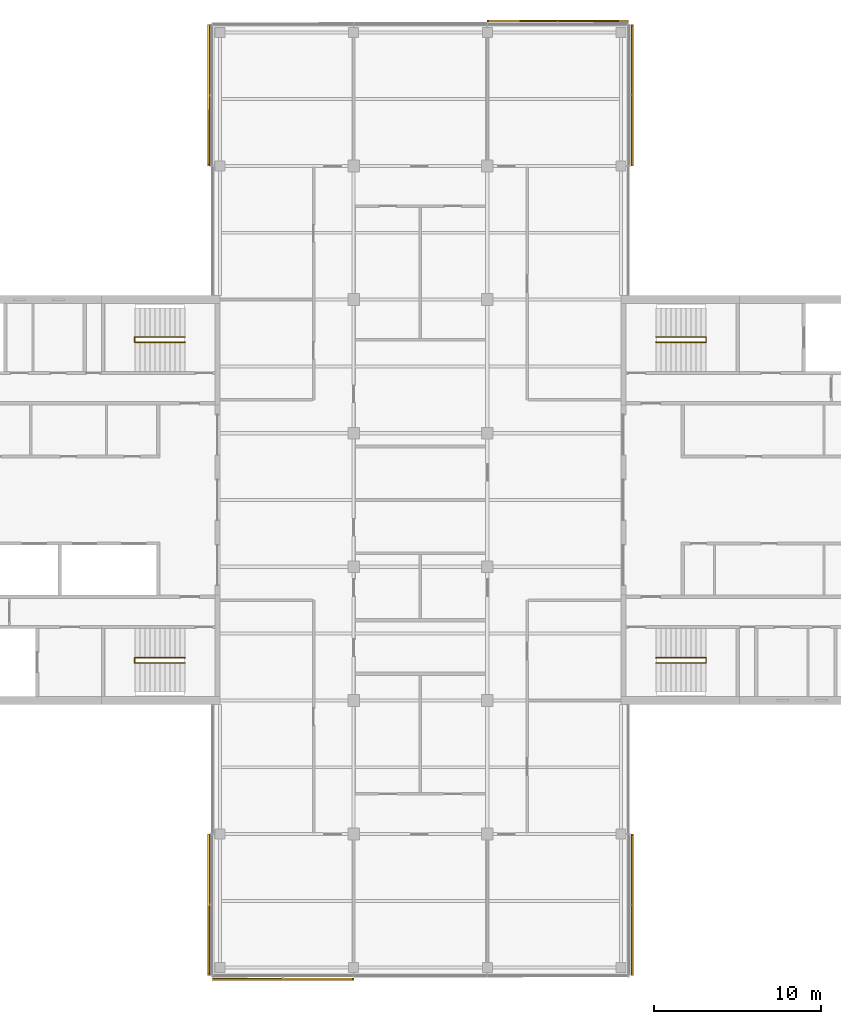
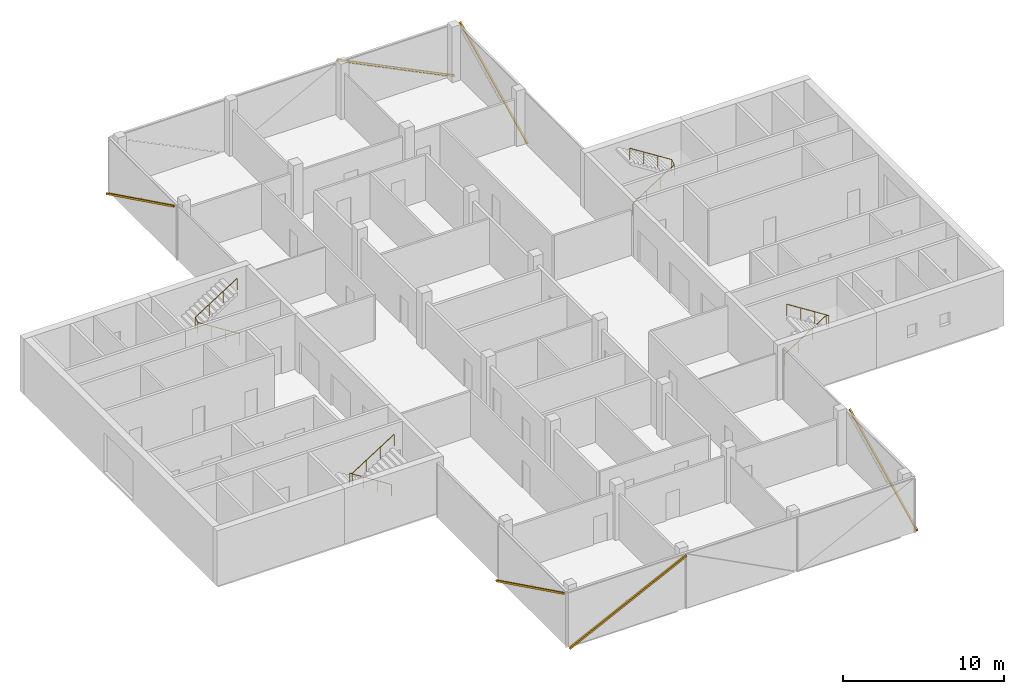
# One storey, part 16 of 16: 6 shading devices, 4 railings, 6 elements without a shape of their own.
"""IFC4 building model written with IfcOpenShell, lengths in metres."""

from ifc_helpers import new_model, si_unit, direction, frame, origin, origin_2d, place, context, subcontext, project, spatial, rectangle, circle, extrude, material, material_profile, profile_set, type_object, element, aggregate, save


model = new_model("IFC4")

# Units and contexts
model_context = context("Model", 3, precision=1e-05, world=origin(), true_north=direction((0.0, 1.0)))
body_context = subcontext(model_context, "Body", "Model", "MODEL_VIEW")
ifc_project = project(units=[si_unit("LENGTHUNIT", "METRE"), si_unit("AREAUNIT", "SQUARE_METRE"), si_unit("VOLUMEUNIT", "CUBIC_METRE"), si_unit("PLANEANGLEUNIT", "RADIAN"), si_unit("MASSUNIT", "GRAM", prefix="KILO")], contexts=[model_context])

# Site, building, storey
site_placement = place(None, origin())
site = spatial("IfcSite", under=ifc_project, at=site_placement, CompositionType="ELEMENT")
building_placement = place(site_placement, origin())
building = spatial("IfcBuilding", under=site, at=building_placement, Name="Crosswind Convention Tower", CompositionType="ELEMENT")
storey_placement = place(building_placement, frame((0.0, 0.0, 253.5)))
storey = spatial("IfcBuildingStorey", under=building, at=storey_placement, Name="L54", CompositionType="ELEMENT", Elevation=253.5)

# Railings
ifc_material_1 = material(Name="Stainless steel", Category="steel")
railing_type = type_object("IfcRailingType", Name="Stair handrail 900", PredefinedType="HANDRAIL", material=ifc_material_1)
railing_1_placement = place(storey_placement, frame((139.10009765625, 109.43994140625, 0.19091796875)))
element("IfcRailing", 1, at=railing_1_placement, inside=storey, type_object=railing_type, Name="Stair ST1 handrail L54", PredefinedType="HANDRAIL", context=body_context, shape_type="SweptSolid", body=[
    extrude(circle(Radius=0.02392578125, at=origin_2d()), frame((0.0, 0.0, 0.8759765625), z_axis=(0.843650179428, 0.0, 0.536893261973), x_axis=(0.0, 1.0, 0.0)), (0.0, 0.0, 1.0), 3.555908203125),
    extrude(circle(Radius=0.02392578125, at=origin_2d()), frame((3.0, 0.0, 2.78515625), z_axis=(0.0, 0.858819504967, 0.512278301208), x_axis=(-1.0, 0.0, 0.0)), (0.0, 0.0, 1.0), 0.372802734375),
    extrude(circle(Radius=0.02392578125, at=origin_2d()), frame((3.0, 0.320068359375, 2.97607421875), z_axis=(-0.843681277094, 0.0, 0.536844393359), x_axis=(0.0, -1.0, 0.0)), (0.0, 0.0, 1.0), 3.555908203125),
    extrude(circle(Radius=0.02099609375, at=origin_2d()), origin(), (0.0, 0.0, 1.0), 0.851806640625),
    extrude(circle(Radius=0.02099609375, at=origin_2d()), frame((1.0, 0.0, 0.636474609375)), (0.0, 0.0, 1.0), 0.851806640625),
    extrude(circle(Radius=0.02099609375, at=origin_2d()), frame((2.0, 0.0, 1.272705078125)), (0.0, 0.0, 1.0), 0.851806640625),
    extrude(circle(Radius=0.02099609375, at=origin_2d()), frame((3.0, 0.0, 1.9091796875)), (0.0, 0.0, 1.0), 0.851806640625),
    extrude(circle(Radius=0.02099609375, at=origin_2d()), frame((3.0, 0.320068359375, 2.10009765625)), (0.0, 0.0, 1.0), 0.851806640625),
    extrude(circle(Radius=0.02099609375, at=origin_2d()), frame((2.0, 0.320068359375, 2.736328125)), (0.0, 0.0, 1.0), 0.851806640625),
    extrude(circle(Radius=0.02099609375, at=origin_2d()), frame((1.0, 0.320068359375, 3.372802734375)), (0.0, 0.0, 1.0), 0.851806640625),
    extrude(circle(Radius=0.02099609375, at=origin_2d()), frame((0.0, 0.320068359375, 4.009033203125)), (0.0, 0.0, 1.0), 0.851806640625),
])
railing_2_placement = place(storey_placement, frame((139.10009765625, 90.56005859375, 0.19091796875)))
element("IfcRailing", 2, at=railing_2_placement, inside=storey, type_object=railing_type, Name="Stair ST2 handrail L54", PredefinedType="HANDRAIL", context=body_context, shape_type="SweptSolid", body=[
    extrude(circle(Radius=0.02392578125, at=origin_2d()), frame((0.0, 0.0, 0.8759765625), z_axis=(0.843650179428, 0.0, 0.536893261973), x_axis=(0.0, 1.0, 0.0)), (0.0, 0.0, 1.0), 3.555908203125),
    extrude(circle(Radius=0.02392578125, at=origin_2d()), frame((3.0, 0.0, 2.78515625), z_axis=(0.0, -0.858819504967, 0.512278301208), x_axis=(1.0, 0.0, 0.0)), (0.0, 0.0, 1.0), 0.372802734375),
    extrude(circle(Radius=0.02392578125, at=origin_2d()), frame((3.0, -0.320068359375, 2.97607421875), z_axis=(-0.843681277094, 0.0, 0.536844393359), x_axis=(0.0, -1.0, 0.0)), (0.0, 0.0, 1.0), 3.555908203125),
    extrude(circle(Radius=0.02099609375, at=origin_2d()), origin(), (0.0, 0.0, 1.0), 0.851806640625),
    extrude(circle(Radius=0.02099609375, at=origin_2d()), frame((1.0, 0.0, 0.636474609375)), (0.0, 0.0, 1.0), 0.851806640625),
    extrude(circle(Radius=0.02099609375, at=origin_2d()), frame((2.0, 0.0, 1.272705078125)), (0.0, 0.0, 1.0), 0.851806640625),
    extrude(circle(Radius=0.02099609375, at=origin_2d()), frame((3.0, 0.0, 1.9091796875)), (0.0, 0.0, 1.0), 0.851806640625),
    extrude(circle(Radius=0.02099609375, at=origin_2d()), frame((3.0, -0.320068359375, 2.10009765625)), (0.0, 0.0, 1.0), 0.851806640625),
    extrude(circle(Radius=0.02099609375, at=origin_2d()), frame((2.0, -0.320068359375, 2.736328125)), (0.0, 0.0, 1.0), 0.851806640625),
    extrude(circle(Radius=0.02099609375, at=origin_2d()), frame((1.0, -0.320068359375, 3.372802734375)), (0.0, 0.0, 1.0), 0.851806640625),
    extrude(circle(Radius=0.02099609375, at=origin_2d()), frame((0.0, -0.320068359375, 4.009033203125)), (0.0, 0.0, 1.0), 0.851806640625),
])
railing_3_placement = place(storey_placement, frame((110.89990234375, 90.56005859375, 0.19091796875)))
element("IfcRailing", 3, at=railing_3_placement, inside=storey, type_object=railing_type, Name="Stair ST3 handrail L54", PredefinedType="HANDRAIL", context=body_context, shape_type="SweptSolid", body=[
    extrude(circle(Radius=0.02392578125, at=origin_2d()), frame((0.0, 0.0, 0.8759765625), z_axis=(-0.843650179428, 0.0, 0.536893261973), x_axis=(0.0, -1.0, 0.0)), (0.0, 0.0, 1.0), 3.555908203125),
    extrude(circle(Radius=0.02392578125, at=origin_2d()), frame((-3.0, 0.0, 2.78515625), z_axis=(0.0, -0.858819504967, 0.512278301208), x_axis=(1.0, 0.0, 0.0)), (0.0, 0.0, 1.0), 0.372802734375),
    extrude(circle(Radius=0.02392578125, at=origin_2d()), frame((-3.0, -0.320068359375, 2.97607421875), z_axis=(0.843681277094, 0.0, 0.536844393359), x_axis=(0.0, 1.0, 0.0)), (0.0, 0.0, 1.0), 3.555908203125),
    extrude(circle(Radius=0.02099609375, at=origin_2d()), origin(), (0.0, 0.0, 1.0), 0.851806640625),
    extrude(circle(Radius=0.02099609375, at=origin_2d()), frame((-1.0, 0.0, 0.636474609375)), (0.0, 0.0, 1.0), 0.851806640625),
    extrude(circle(Radius=0.02099609375, at=origin_2d()), frame((-2.0, 0.0, 1.272705078125)), (0.0, 0.0, 1.0), 0.851806640625),
    extrude(circle(Radius=0.02099609375, at=origin_2d()), frame((-3.0, 0.0, 1.9091796875)), (0.0, 0.0, 1.0), 0.851806640625),
    extrude(circle(Radius=0.02099609375, at=origin_2d()), frame((-3.0, -0.320068359375, 2.10009765625)), (0.0, 0.0, 1.0), 0.851806640625),
    extrude(circle(Radius=0.02099609375, at=origin_2d()), frame((-2.0, -0.320068359375, 2.736328125)), (0.0, 0.0, 1.0), 0.851806640625),
    extrude(circle(Radius=0.02099609375, at=origin_2d()), frame((-1.0, -0.320068359375, 3.372802734375)), (0.0, 0.0, 1.0), 0.851806640625),
    extrude(circle(Radius=0.02099609375, at=origin_2d()), frame((0.0, -0.320068359375, 4.009033203125)), (0.0, 0.0, 1.0), 0.851806640625),
])
railing_4_placement = place(storey_placement, frame((110.89990234375, 109.43994140625, 0.19091796875)))
element("IfcRailing", 4, at=railing_4_placement, inside=storey, type_object=railing_type, Name="Stair ST4 handrail L54", PredefinedType="HANDRAIL", context=body_context, shape_type="SweptSolid", body=[
    extrude(circle(Radius=0.02392578125, at=origin_2d()), frame((0.0, 0.0, 0.8759765625), z_axis=(-0.843650179428, 0.0, 0.536893261973), x_axis=(0.0, -1.0, 0.0)), (0.0, 0.0, 1.0), 3.555908203125),
    extrude(circle(Radius=0.02392578125, at=origin_2d()), frame((-3.0, 0.0, 2.78515625), z_axis=(0.0, 0.858819504967, 0.512278301208), x_axis=(-1.0, 0.0, 0.0)), (0.0, 0.0, 1.0), 0.372802734375),
    extrude(circle(Radius=0.02392578125, at=origin_2d()), frame((-3.0, 0.320068359375, 2.97607421875), z_axis=(0.843681277094, 0.0, 0.536844393359), x_axis=(0.0, 1.0, 0.0)), (0.0, 0.0, 1.0), 3.555908203125),
    extrude(circle(Radius=0.02099609375, at=origin_2d()), origin(), (0.0, 0.0, 1.0), 0.851806640625),
    extrude(circle(Radius=0.02099609375, at=origin_2d()), frame((-1.0, 0.0, 0.636474609375)), (0.0, 0.0, 1.0), 0.851806640625),
    extrude(circle(Radius=0.02099609375, at=origin_2d()), frame((-2.0, 0.0, 1.272705078125)), (0.0, 0.0, 1.0), 0.851806640625),
    extrude(circle(Radius=0.02099609375, at=origin_2d()), frame((-3.0, 0.0, 1.9091796875)), (0.0, 0.0, 1.0), 0.851806640625),
    extrude(circle(Radius=0.02099609375, at=origin_2d()), frame((-3.0, 0.320068359375, 2.10009765625)), (0.0, 0.0, 1.0), 0.851806640625),
    extrude(circle(Radius=0.02099609375, at=origin_2d()), frame((-2.0, 0.320068359375, 2.736328125)), (0.0, 0.0, 1.0), 0.851806640625),
    extrude(circle(Radius=0.02099609375, at=origin_2d()), frame((-1.0, 0.320068359375, 3.372802734375)), (0.0, 0.0, 1.0), 0.851806640625),
    extrude(circle(Radius=0.02099609375, at=origin_2d()), frame((0.0, 0.320068359375, 4.009033203125)), (0.0, 0.0, 1.0), 0.851806640625),
])

# Curtain wall, shading device
ifc_material_2 = material(Name="Aluminium unitised curtain wall", Category="aluminium")
curtain_wall_type = type_object("IfcCurtainWallType", Name="OFFICE UNITISED WALL 220", PredefinedType="USERDEFINED", material=ifc_material_2)
curtain_wall_1_placement = place(storey_placement, origin())
curtain_wall_1 = element("IfcCurtainWall", 5, at=curtain_wall_1_placement, inside=storey, type_object=curtain_wall_type, Name="CW3 L54 N-E 1", ObjectType="UNITISED", PredefinedType="USERDEFINED")
ifc_material_3 = material(Name="Extruded terracotta", Category="masonry")
ifc_material_profile = material_profile(ifc_material_3, rectangle(XDim=0.110107421875, YDim=0.1298828125, at=origin_2d()), Name="TC 110X130")
ifc_profile_set = profile_set([ifc_material_profile], Name="Extruded terracotta")
shading_device_type = type_object("IfcShadingDeviceType", Name="TERRACOTTA BAGUETTE 130X110", PredefinedType="USERDEFINED", material=ifc_profile_set)
shading_device_1_placement = place(storey_placement, frame((137.680908203125, 120.034912109375, -0.300048828125), z_axis=(0.0, 0.897187705251, 0.441649432862), x_axis=(-1.0, 0.0, 0.0)))
shading_device_1 = element("IfcShadingDevice", 6, at=shading_device_1_placement, type_object=shading_device_type, Name="CW3 terracotta baguette 1", ObjectType="BAGUETTE", PredefinedType="USERDEFINED", context=body_context, shape_type="SweptSolid", body=[
    extrude(rectangle(XDim=0.110107421875, YDim=0.1298828125, at=origin_2d()), origin(), (0.0, 0.0, 1.0), 9.3515625),
])
aggregate(curtain_wall_1, [shading_device_1])

curtain_wall_2_placement = place(storey_placement, origin())
curtain_wall_2 = element("IfcCurtainWall", 7, at=curtain_wall_2_placement, inside=storey, type_object=curtain_wall_type, Name="CW3 L54 N-TIP 1", ObjectType="UNITISED", PredefinedType="USERDEFINED")
shading_device_2_placement = place(storey_placement, frame((137.425048828125, 128.680908203125, -0.300048828125), z_axis=(-0.897187705251, 0.0, 0.441649432862), x_axis=(0.0, -1.0, 0.0)))
shading_device_2 = element("IfcShadingDevice", 8, at=shading_device_2_placement, type_object=shading_device_type, Name="CW3 terracotta baguette 1", ObjectType="BAGUETTE", PredefinedType="USERDEFINED", context=body_context, shape_type="SweptSolid", body=[
    extrude(rectangle(XDim=0.110107421875, YDim=0.1298828125, at=origin_2d()), origin(), (0.0, 0.0, 1.0), 9.3515625),
])
aggregate(curtain_wall_2, [shading_device_2])

curtain_wall_3_placement = place(storey_placement, origin())
curtain_wall_3 = element("IfcCurtainWall", 9, at=curtain_wall_3_placement, inside=storey, type_object=curtain_wall_type, Name="CW3 L54 N-W 1", ObjectType="UNITISED", PredefinedType="USERDEFINED")
shading_device_3_placement = place(storey_placement, frame((112.319091796875, 128.425048828125, -0.300048828125), z_axis=(0.0, -0.897187705251, 0.441649432862), x_axis=(1.0, 0.0, 0.0)))
shading_device_3 = element("IfcShadingDevice", 10, at=shading_device_3_placement, type_object=shading_device_type, Name="CW3 terracotta baguette 1", ObjectType="BAGUETTE", PredefinedType="USERDEFINED", context=body_context, shape_type="SweptSolid", body=[
    extrude(rectangle(XDim=0.110107421875, YDim=0.1298828125, at=origin_2d()), origin(), (0.0, 0.0, 1.0), 9.3515625),
])
aggregate(curtain_wall_3, [shading_device_3])

curtain_wall_4_placement = place(storey_placement, origin())
curtain_wall_4 = element("IfcCurtainWall", 11, at=curtain_wall_4_placement, inside=storey, type_object=curtain_wall_type, Name="CW3 L54 S-W 1", ObjectType="UNITISED", PredefinedType="USERDEFINED")
shading_device_4_placement = place(storey_placement, frame((112.319091796875, 79.965087890625, -0.300048828125), z_axis=(0.0, -0.897187705251, 0.441649432862), x_axis=(1.0, 0.0, 0.0)))
shading_device_4 = element("IfcShadingDevice", 12, at=shading_device_4_placement, type_object=shading_device_type, Name="CW3 terracotta baguette 1", ObjectType="BAGUETTE", PredefinedType="USERDEFINED", context=body_context, shape_type="SweptSolid", body=[
    extrude(rectangle(XDim=0.110107421875, YDim=0.1298828125, at=origin_2d()), origin(), (0.0, 0.0, 1.0), 9.3515625),
])
aggregate(curtain_wall_4, [shading_device_4])

curtain_wall_5_placement = place(storey_placement, origin())
curtain_wall_5 = element("IfcCurtainWall", 13, at=curtain_wall_5_placement, inside=storey, type_object=curtain_wall_type, Name="CW3 L54 S-TIP 1", ObjectType="UNITISED", PredefinedType="USERDEFINED")
shading_device_5_placement = place(storey_placement, frame((112.574951171875, 71.319091796875, -0.300048828125), z_axis=(0.897187705251, 0.0, 0.441649432862), x_axis=(0.0, 1.0, 0.0)))
shading_device_5 = element("IfcShadingDevice", 14, at=shading_device_5_placement, type_object=shading_device_type, Name="CW3 terracotta baguette 1", ObjectType="BAGUETTE", PredefinedType="USERDEFINED", context=body_context, shape_type="SweptSolid", body=[
    extrude(rectangle(XDim=0.110107421875, YDim=0.1298828125, at=origin_2d()), origin(), (0.0, 0.0, 1.0), 9.3515625),
])
aggregate(curtain_wall_5, [shading_device_5])

curtain_wall_6_placement = place(storey_placement, origin())
curtain_wall_6 = element("IfcCurtainWall", 15, at=curtain_wall_6_placement, inside=storey, type_object=curtain_wall_type, Name="CW3 L54 S-E 1", ObjectType="UNITISED", PredefinedType="USERDEFINED")
shading_device_6_placement = place(storey_placement, frame((137.680908203125, 71.574951171875, -0.300048828125), z_axis=(0.0, 0.897187705251, 0.441649432862), x_axis=(-1.0, 0.0, 0.0)))
shading_device_6 = element("IfcShadingDevice", 16, at=shading_device_6_placement, type_object=shading_device_type, Name="CW3 terracotta baguette 1", ObjectType="BAGUETTE", PredefinedType="USERDEFINED", context=body_context, shape_type="SweptSolid", body=[
    extrude(rectangle(XDim=0.110107421875, YDim=0.1298828125, at=origin_2d()), origin(), (0.0, 0.0, 1.0), 9.3515625),
])
aggregate(curtain_wall_6, [shading_device_6])

save(model, "model.ifc")
